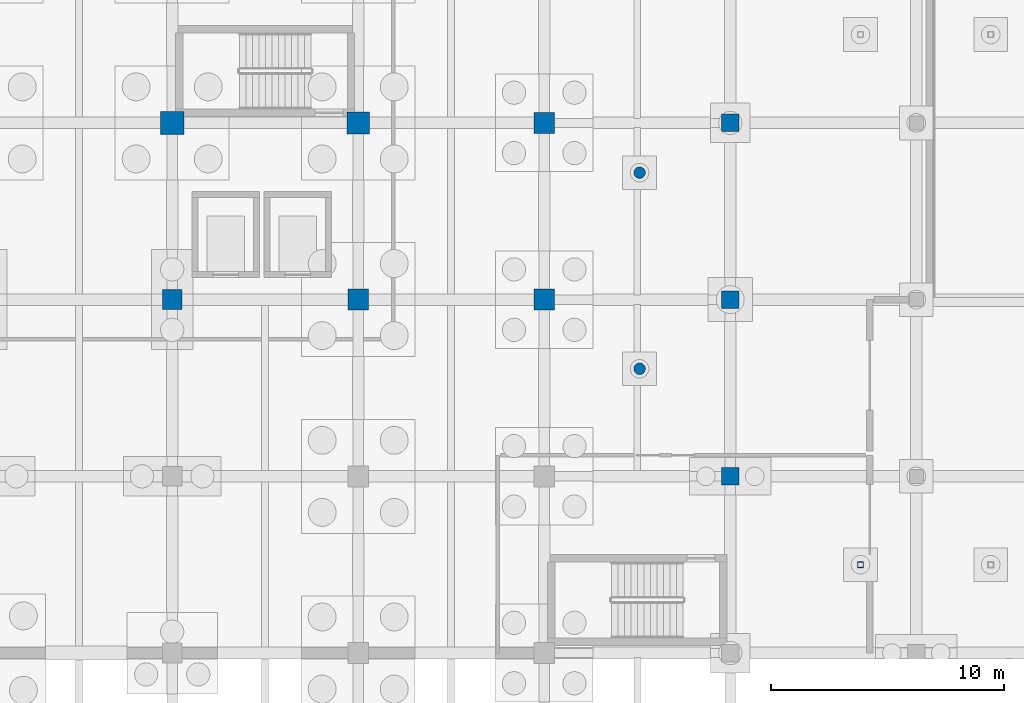
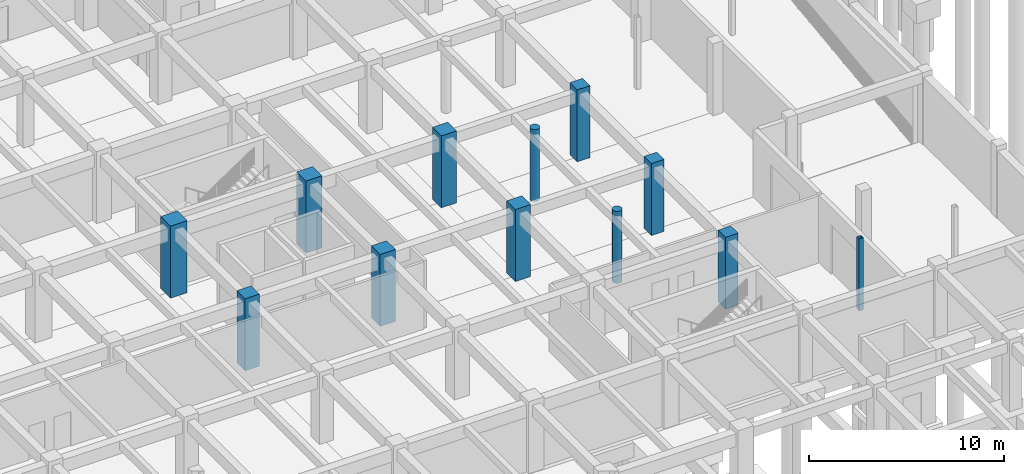
# One storey, part 18 of 49: 12 columns.
"""IFC4 building model written with IfcOpenShell, lengths in metres."""

import ifcopenshell
import ifcopenshell.guid

model = None  # the IFC model being written
_history = None  # IfcOwnerHistory: only IFC2X3 demands one
_inside = {}  # id of a spatial element -> (the spatial element, [elements in it])
_under = {}  # id of a project, library or spatial element -> (it, [spatial elements below it])
_declared = {}  # id of a project -> (the project, [libraries it declares])
_typed = {}  # id of a type object -> (the type object, [elements of that type])
_made_of = {}  # id of a material, layer set ... -> (it, [elements and type objects made of it])


def new_model(schema):
    """Start an empty IFC model of exactly this schema.

    Asked for "IFC4X3", IfcOpenShell would pick the latest addendum, in which some entities
    have other attributes; the version numbers below select the first issue.
    IFC2X3 requires an IfcOwnerHistory on every rooted entity: one is made here for all.
    """
    global model, _history
    if schema == "IFC4X3":
        model = ifcopenshell.file(schema_version=(4, 3, 0, 0))
    else:
        model = ifcopenshell.file(schema=schema)
    _inside.clear()
    _under.clear()
    _declared.clear()
    _typed.clear()
    _made_of.clear()
    _history = None
    if model.schema == "IFC2X3":
        org = make("IfcOrganization", Name="unknown")
        user = make(
            "IfcPersonAndOrganization",
            ThePerson=make("IfcPerson", FamilyName="unknown"),
            TheOrganization=org,
        )
        app = make(
            "IfcApplication",
            ApplicationDeveloper=org,
            Version="unknown",
            ApplicationFullName="unknown",
            ApplicationIdentifier="unknown",
        )
        _history = make(
            "IfcOwnerHistory",
            OwningUser=user,
            OwningApplication=app,
            ChangeAction="ADDED",
            CreationDate=0,
        )
    return model


def make(cls, **values):
    """One entity of the class cls with the attributes given. An attribute that is None is left unset."""
    return model.create_entity(
        cls, **{name: value for name, value in values.items() if value is not None}
    )


def rooted(cls, **values):
    """An entity with a GlobalId (a new one), such as an element, a storey or a relation."""
    return make(cls, GlobalId=ifcopenshell.guid.new(), OwnerHistory=_history, **values)


def si_unit(unit_type, name, prefix=None):
    """IfcSIUnit, for example si_unit("LENGTHUNIT", "METRE", prefix="MILLI")."""
    return make("IfcSIUnit", UnitType=unit_type, Prefix=prefix, Name=name)


def assignment(units):
    """IfcUnitAssignment: the units of a project."""
    return None if units is None else make("IfcUnitAssignment", Units=units)


def point(xyz):
    """IfcCartesianPoint."""
    return None if xyz is None else make("IfcCartesianPoint", Coordinates=xyz)


def direction(xyz):
    """IfcDirection."""
    return None if xyz is None else make("IfcDirection", DirectionRatios=xyz)


def frame(location, z_axis=None, x_axis=None):
    """IfcAxis2Placement3D, a coordinate frame: its origin and axes. An axis left out is left unset."""
    return make(
        "IfcAxis2Placement3D",
        Location=point(location),
        Axis=direction(z_axis),
        RefDirection=direction(x_axis),
    )


def frame_2d(location, x_axis=None):
    """IfcAxis2Placement2D, a coordinate frame in the plane: its origin and x axis."""
    return make(
        "IfcAxis2Placement2D", Location=point(location), RefDirection=direction(x_axis)
    )


def origin():
    """The frame at (0, 0, 0) with its axes left unset."""
    return frame((0.0, 0.0, 0.0))


def origin_2d():
    """The frame at (0, 0) in the plane with its x axis left unset."""
    return frame_2d((0.0, 0.0))


def place(relative_to, where):
    """IfcLocalPlacement: puts the frame where relative to a parent placement (None: the world)."""
    return make(
        "IfcLocalPlacement", PlacementRelTo=relative_to, RelativePlacement=where
    )


def context(
    kind, dimensions, precision=None, world=None, true_north=None, identifier=None
):
    """IfcGeometricRepresentationContext, for example the 3D "Model" context."""
    return make(
        "IfcGeometricRepresentationContext",
        ContextIdentifier=identifier,
        ContextType=kind,
        CoordinateSpaceDimension=dimensions,
        Precision=precision,
        WorldCoordinateSystem=world,
        TrueNorth=true_north,
    )


def subcontext(parent, identifier, kind, view, scale=None):
    """IfcGeometricRepresentationSubContext, for example "Body" below "Model"."""
    return make(
        "IfcGeometricRepresentationSubContext",
        ContextIdentifier=identifier,
        ContextType=kind,
        ParentContext=parent,
        TargetScale=scale,
        TargetView=view,
    )


def project(units=None, contexts=None):
    """IfcProject with its units and contexts."""
    return rooted(
        "IfcProject",
        Name="project",
        RepresentationContexts=contexts,
        UnitsInContext=assignment(units),
    )


def spatial(cls, under=None, at=None, **own):
    """A site, building, storey or space (cls), placed at a placement, below another one or the project."""
    s = rooted(cls, ObjectPlacement=at, **own)
    if under is not None:
        _under.setdefault(under.id(), (under, []))[1].append(s)
    return s


def profile(cls, at=None, kind="AREA", **sizes):
    """A parametric profile (cls). Its sizes go by their IFC names, for example OverallWidth=200.0."""
    return make(cls, ProfileType=kind, Position=at, **sizes)


def rectangle(**sizes):
    """IfcRectangleProfileDef."""
    return profile("IfcRectangleProfileDef", **sizes)


def hollow_rectangle(**sizes):
    """IfcRectangleHollowProfileDef."""
    return profile("IfcRectangleHollowProfileDef", **sizes)


def circle(**sizes):
    """IfcCircleProfileDef."""
    return profile("IfcCircleProfileDef", **sizes)


def extrude(swept, where, along, depth):
    """IfcExtrudedAreaSolid: the profile swept, set in the frame where, extruded along a direction by depth."""
    return make(
        "IfcExtrudedAreaSolid",
        SweptArea=swept,
        Position=where,
        ExtrudedDirection=direction(along),
        Depth=depth,
    )


def shape(context_of_items, identifier, shape_type, items):
    """IfcShapeRepresentation: the items that make up one representation, for example the "Body"."""
    return make(
        "IfcShapeRepresentation",
        ContextOfItems=context_of_items,
        RepresentationIdentifier=identifier,
        RepresentationType=shape_type,
        Items=items,
    )


def material(Name=None, Category=None):
    """IfcMaterial."""
    return make("IfcMaterial", Name=Name, Category=Category)


def material_profile(
    of_material, cross_section, Name=None, Category=None, Priority=None
):
    """IfcMaterialProfile: a cross section and its material."""
    return make(
        "IfcMaterialProfile",
        Name=Name,
        Material=of_material,
        Profile=cross_section,
        Priority=Priority,
        Category=Category,
    )


def profile_set(profiles, Name=None, composite=None):
    """IfcMaterialProfileSet."""
    return make(
        "IfcMaterialProfileSet",
        Name=Name,
        MaterialProfiles=profiles,
        CompositeProfile=composite,
    )


def made_of(thing, what):
    """Note that an element or type object is made of a material, layer set ...; save() writes the relation."""
    if what is not None:
        _made_of.setdefault(what.id(), (what, []))[1].append(thing)
    return thing


def type_object(cls, material=None, **own):
    """A type object (cls), such as IfcWallType, which elements share."""
    return made_of(rooted(cls, **own), material)


def element(
    cls,
    number,
    at=None,
    inside=None,
    cuts=None,
    type_object=None,
    material=None,
    context=None,
    identifier="Body",
    shape_type=None,
    held_by="IfcProductDefinitionShape",
    body=None,
    shapes=None,
    **own,
):
    """One element of the class cls, such as IfcWall. Its Tag is "e" and its number.

    at: its placement. inside: the storey or other place that contains it. cuts: it is an
    opening in that element (IfcRelVoidsElement). A single representation is given by context,
    identifier, shape_type and body (its items); several are given by shapes. held_by: the class
    of the entity that holds the representations. save() writes the other relations.
    """
    e = rooted(cls, Tag="e%d" % number, ObjectPlacement=at, **own)
    if body is not None:
        shapes = [shape(context, identifier, shape_type, body)]
    if shapes is not None:
        e.Representation = make(held_by, Representations=shapes)
    if inside is not None:
        _inside.setdefault(inside.id(), (inside, []))[1].append(e)
    if cuts is not None:
        rooted(
            "IfcRelVoidsElement", RelatingBuildingElement=cuts, RelatedOpeningElement=e
        )
    if type_object is not None:
        _typed.setdefault(type_object.id(), (type_object, []))[1].append(e)
    return made_of(e, material)


def aggregate(whole, parts):
    """IfcRelAggregates: a whole, such as a stair, and the parts it consists of."""
    return rooted("IfcRelAggregates", RelatingObject=whole, RelatedObjects=parts)


def save(model, path):
    """Write the relations noted so far, then the file.

    IfcRelAggregates (storeys below a building ...), IfcRelContainedInSpatialStructure (elements
    in a storey), IfcRelDefinesByType, IfcRelAssociatesMaterial and IfcRelDeclares: one each for
    every whole, place, type object, material and project.
    """
    for whole, parts in _under.values():
        aggregate(whole, parts)
    for where, things in _inside.values():
        rooted(
            "IfcRelContainedInSpatialStructure",
            RelatedElements=things,
            RelatingStructure=where,
        )
    for kind, things in _typed.values():
        rooted("IfcRelDefinesByType", RelatedObjects=things, RelatingType=kind)
    for what, things in _made_of.values():
        rooted("IfcRelAssociatesMaterial", RelatedObjects=things, RelatingMaterial=what)
    for by, libraries in _declared.values():
        rooted("IfcRelDeclares", RelatingContext=by, RelatedDefinitions=libraries)
    model.write(path)


model = new_model("IFC4")

# Units and contexts
model_context = context("Model", 3, precision=1e-05, world=origin(), true_north=direction((0.0, 1.0)))
body_context = subcontext(model_context, "Body", "Model", "MODEL_VIEW")
ifc_project = project(units=[si_unit("LENGTHUNIT", "METRE"), si_unit("AREAUNIT", "SQUARE_METRE"), si_unit("VOLUMEUNIT", "CUBIC_METRE"), si_unit("PLANEANGLEUNIT", "RADIAN"), si_unit("MASSUNIT", "GRAM", prefix="KILO")], contexts=[model_context])

# Site, building, storey
site_placement = place(None, origin())
site = spatial("IfcSite", under=ifc_project, at=site_placement, CompositionType="ELEMENT")
building_placement = place(site_placement, origin())
building = spatial("IfcBuilding", under=site, at=building_placement, Name="Zantavel Square City Hall", CompositionType="ELEMENT")
storey_placement = place(building_placement, frame((0.0, 0.0, -4.5)))
storey = spatial("IfcBuildingStorey", under=building, at=storey_placement, Name="B1", CompositionType="ELEMENT", Elevation=-4.5)

# Columns
ifc_material_1 = material(Name="Concrete C40/50", Category="concrete")
ifc_material_profile_1 = material_profile(ifc_material_1, rectangle(XDim=1.0, YDim=1.0, at=origin_2d()), Name="RC 1000x1000")
ifc_profile_set_1 = profile_set([ifc_material_profile_1], Name="Concrete C40/50")
column_type_1 = type_object("IfcColumnType", Name="Column RC 1000x1000 C40/50", PredefinedType="COLUMN", material=ifc_profile_set_1)
column_1_placement = place(storey_placement, frame((96.0, 60.800048828125, 0.0), z_axis=(0.0, 0.0, 1.0), x_axis=(1.0, 0.0, 0.0)))
element("IfcColumn", 1, at=column_1_placement, inside=storey, type_object=column_type_1, Name="B1 Column COL-B1-0960-0608", PredefinedType="COLUMN", context=body_context, shape_type="SweptSolid", body=[
    extrude(rectangle(XDim=1.0, YDim=1.0, at=origin_2d()), origin(), (0.0, 0.0, 1.0), 4.5),
])
ifc_material_profile_2 = material_profile(ifc_material_1, rectangle(XDim=0.75, YDim=0.75, at=origin_2d()), Name="RC 750x750")
ifc_profile_set_2 = profile_set([ifc_material_profile_2], Name="Concrete C40/50")
column_type_2 = type_object("IfcColumnType", Name="Column RC 750x750 C40/50", PredefinedType="COLUMN", material=ifc_profile_set_2)
for number, where, z_axis, x_axis, name in (
    (2, (120.0, 45.60009765625, 0.0), (0.0, 0.0, 1.0), (1.0, 0.0, 0.0), "B1 Column COL-B1-1200-0456"),
    (3, (120.0, 53.199951171875, 0.0), (0.0, 0.0, 1.0), (1.0, 0.0, 0.0), "B1 Column COL-B1-1200-0532"),
    (4, (120.0, 60.800048828125, 0.0), (0.0, 0.0, 1.0), (1.0, 0.0, 0.0), "B1 Column COL-B1-1200-0608"),
):
    element("IfcColumn", number, at=place(storey_placement, frame(where, z_axis=z_axis, x_axis=x_axis)), inside=storey, type_object=column_type_2, Name=name, PredefinedType="COLUMN", context=body_context, shape_type="SweptSolid", body=[
        extrude(rectangle(XDim=0.75, YDim=0.75, at=origin_2d()), origin(), (0.0, 0.0, 1.0), 4.5),
    ])
ifc_material_profile_3 = material_profile(ifc_material_1, rectangle(XDim=0.85009765625, YDim=0.85009765625, at=origin_2d()), Name="RC 850x850")
ifc_profile_set_3 = profile_set([ifc_material_profile_3], Name="Concrete C40/50")
column_type_3 = type_object("IfcColumnType", Name="Column RC 850x850 C40/50", PredefinedType="COLUMN", material=ifc_profile_set_3)
column_2_placement = place(storey_placement, frame((96.0, 53.199951171875, 0.0), z_axis=(0.0, 0.0, 1.0), x_axis=(1.0, 0.0, 0.0)))
element("IfcColumn", 5, at=column_2_placement, inside=storey, type_object=column_type_3, Name="B1 Column COL-B1-0960-0532", PredefinedType="COLUMN", context=body_context, shape_type="SweptSolid", body=[
    extrude(rectangle(XDim=0.85009765625, YDim=0.85009765625, at=origin_2d()), origin(), (0.0, 0.0, 1.0), 4.5),
])
ifc_material_profile_4 = material_profile(ifc_material_1, rectangle(XDim=0.89990234375, YDim=0.89990234375, at=origin_2d()), Name="RC 900x900")
ifc_profile_set_4 = profile_set([ifc_material_profile_4], Name="Concrete C40/50")
column_type_4 = type_object("IfcColumnType", Name="Column RC 900x900 C40/50", PredefinedType="COLUMN", material=ifc_profile_set_4)
for number, where, z_axis, x_axis, name in (
    (6, (104.0, 53.199951171875, 0.0), (0.0, 0.0, 1.0), (1.0, 0.0, 0.0), "B1 Column COL-B1-1040-0532"),
    (7, (112.0, 53.199951171875, 0.0), (0.0, 0.0, 1.0), (1.0, 0.0, 0.0), "B1 Column COL-B1-1120-0532"),
    (8, (112.0, 60.800048828125, 0.0), (0.0, 0.0, 1.0), (1.0, 0.0, 0.0), "B1 Column COL-B1-1120-0608"),
):
    element("IfcColumn", number, at=place(storey_placement, frame(where, z_axis=z_axis, x_axis=x_axis)), inside=storey, type_object=column_type_4, Name=name, PredefinedType="COLUMN", context=body_context, shape_type="SweptSolid", body=[
        extrude(rectangle(XDim=0.89990234375, YDim=0.89990234375, at=origin_2d()), origin(), (0.0, 0.0, 1.0), 4.5),
    ])
ifc_material_2 = material(Name="Steel ASTM A500 Grade B", Category="steel")
ifc_material_profile_5 = material_profile(ifc_material_2, hollow_rectangle(XDim=0.25390625, YDim=0.25390625, WallThickness=0.0126953125, at=origin_2d()), Name="HSS 254x254x12.7")
ifc_profile_set_5 = profile_set([ifc_material_profile_5], Name="Steel ASTM A500 Grade B")
column_type_5 = type_object("IfcColumnType", Name="Pavilion Steel Column HSS254", PredefinedType="COLUMN", material=ifc_profile_set_5)
column_3_placement = place(storey_placement, frame((125.60009765625, 41.800048828125, 0.0), z_axis=(0.0, 0.0, 1.0), x_axis=(1.0, 0.0, 0.0)))
element("IfcColumn", 9, at=column_3_placement, inside=storey, type_object=column_type_5, Name="B1 Courtyard Skylight Column 1-S", PredefinedType="COLUMN", context=body_context, shape_type="SweptSolid", body=[
    extrude(hollow_rectangle(XDim=0.25390625, YDim=0.25390625, WallThickness=0.0126953125, at=origin_2d()), origin(), (0.0, 0.0, 1.0), 4.5),
])
ifc_material_profile_6 = material_profile(ifc_material_1, circle(Radius=0.25, at=origin_2d()), Name="ROUND D500")
ifc_profile_set_6 = profile_set([ifc_material_profile_6], Name="Concrete C40/50")
column_type_6 = type_object("IfcColumnType", Name="Portico Canopy Classical Column D500 C40/50", PredefinedType="COLUMN", material=ifc_profile_set_6)
for number, where, z_axis, x_axis, name in (
    (10, (116.10009765625, 50.22509765625, 0.0), (0.0, 0.0, 1.0), (1.0, 0.0, 0.0), "B1 Terrace Stair Loggia Column 1"),
    (11, (116.10009765625, 58.659912109375, 0.0), (0.0, 0.0, 1.0), (1.0, 0.0, 0.0), "B1 Terrace Stair Loggia Column 2"),
):
    element("IfcColumn", number, at=place(storey_placement, frame(where, z_axis=z_axis, x_axis=x_axis)), inside=storey, type_object=column_type_6, Name=name, PredefinedType="COLUMN", context=body_context, shape_type="SweptSolid", body=[
        extrude(circle(Radius=0.25, at=origin_2d()), origin(), (0.0, 0.0, 1.0), 4.5),
    ])
ifc_material_profile_7 = material_profile(ifc_material_1, rectangle(XDim=0.949951171875, YDim=0.949951171875, at=origin_2d()), Name="RC 950x950")
ifc_profile_set_7 = profile_set([ifc_material_profile_7], Name="Concrete C40/50")
column_type_7 = type_object("IfcColumnType", Name="Vault Corner Pier Column RC 950x950 C40/50", PredefinedType="COLUMN", material=ifc_profile_set_7)
column_4_placement = place(storey_placement, frame((104.0, 60.800048828125, 0.0), z_axis=(0.0, 0.0, 1.0), x_axis=(1.0, 0.0, 0.0)))
element("IfcColumn", 12, at=column_4_placement, inside=storey, type_object=column_type_7, Name="B1 Column COL-B1-1040-0608", PredefinedType="COLUMN", context=body_context, shape_type="SweptSolid", body=[
    extrude(rectangle(XDim=0.949951171875, YDim=0.949951171875, at=origin_2d()), origin(), (0.0, 0.0, 1.0), 4.5),
])

save(model, "model.ifc")
